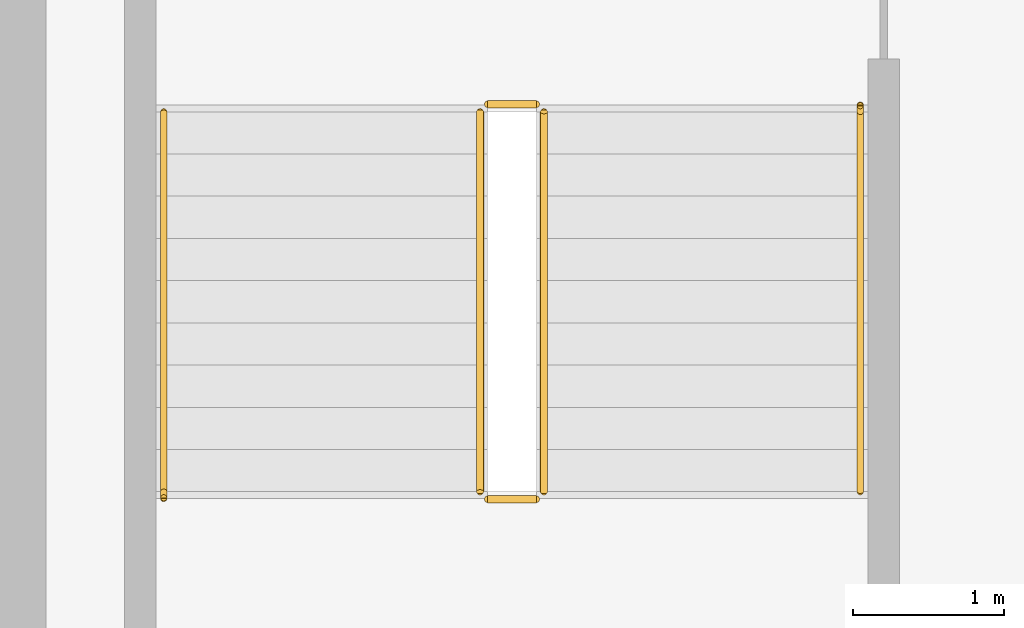
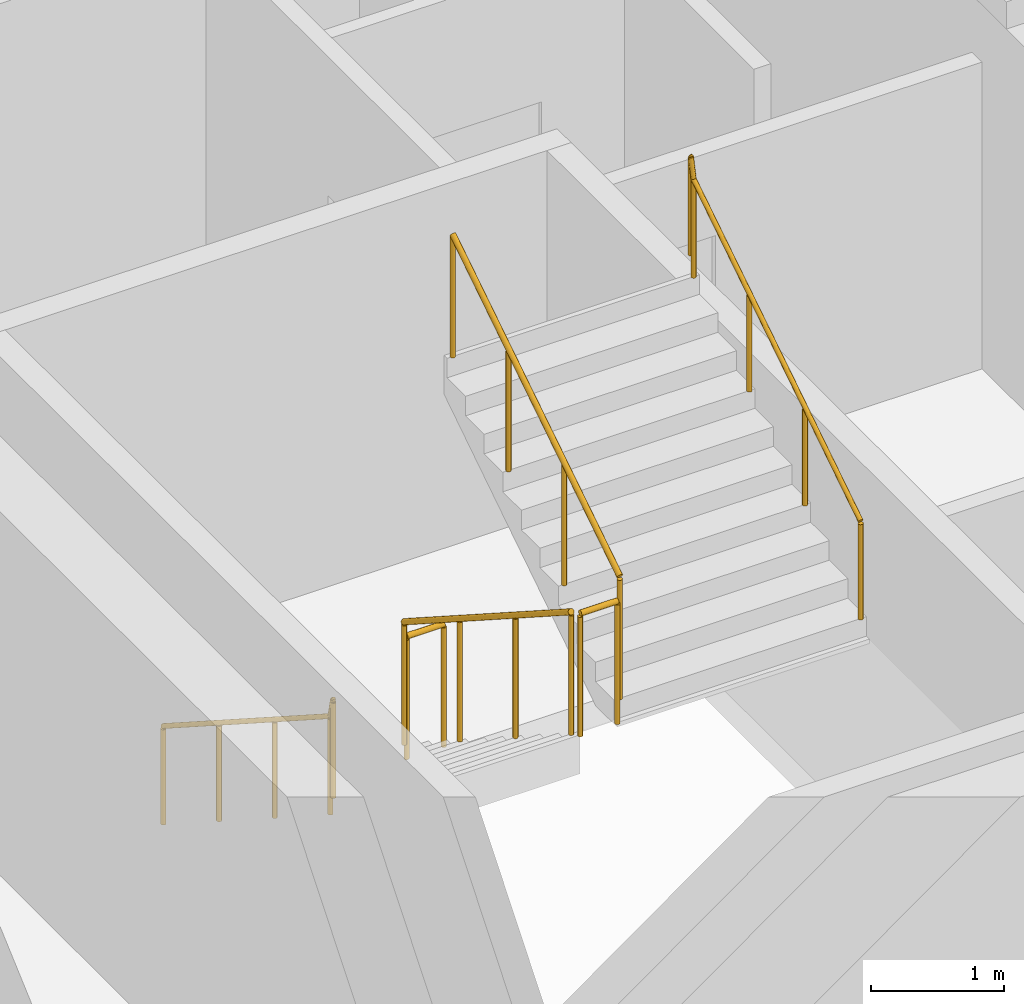
# One storey, part 5 of 8: 6 railings.
"""IFC4 building model written with IfcOpenShell, lengths in metres."""

from ifc_helpers import new_model, si_unit, direction, frame, origin, origin_2d, place, context, subcontext, project, spatial, circle, extrude, material, type_object, element, save


model = new_model("IFC4")

# Units and contexts
model_context = context("Model", 3, precision=1e-05, world=origin(), true_north=direction((0.0, 1.0)))
body_context = subcontext(model_context, "Body", "Model", "MODEL_VIEW")
ifc_project = project(units=[si_unit("LENGTHUNIT", "METRE"), si_unit("AREAUNIT", "SQUARE_METRE"), si_unit("VOLUMEUNIT", "CUBIC_METRE"), si_unit("PLANEANGLEUNIT", "RADIAN"), si_unit("MASSUNIT", "GRAM", prefix="KILO")], contexts=[model_context])

# Site, building, storey
site_placement = place(None, origin())
site = spatial("IfcSite", under=ifc_project, at=site_placement, CompositionType="ELEMENT")
building_placement = place(site_placement, origin())
building = spatial("IfcBuilding", under=site, at=building_placement, Name="Velakula Bourse", CompositionType="ELEMENT")
storey_placement = place(building_placement, frame((0.0, 0.0, 286.949951171875)))
storey = spatial("IfcBuildingStorey", under=building, at=storey_placement, Name="L78", CompositionType="ELEMENT", Elevation=286.949951171875)

# Railings
ifc_material = material(Name="Brushed grade 316 stainless steel", Category="steel")
railing_type_1 = type_object("IfcRailingType", Name="RLG-STAIR-GUARD-1150", PredefinedType="BALUSTRADE", material=ifc_material)
railing_1_placement = place(storey_placement, frame((-15.672119140625, -2.199951171875, 0.179931640625)))
element("IfcRailing", 1, at=railing_1_placement, inside=storey, type_object=railing_type_1, Name="L78 ST-W1 stair guard 1", PredefinedType="BALUSTRADE", context=body_context, shape_type="SweptSolid", body=[
    extrude(circle(Radius=0.02490234375, at=origin_2d()), frame((0.0, 0.0, 1.125), z_axis=(0.0, -0.841162588446, 0.540782303519), x_axis=(1.0, 0.0, 0.0)), (0.0, 0.0, 1.0), 2.995849609375),
    extrude(circle(Radius=0.02099609375, at=origin_2d()), origin(), (0.0, 0.0, 1.0), 1.099853515625),
    extrude(circle(Radius=0.02099609375, at=origin_2d()), frame((0.0, -0.840087890625, 0.5400390625)), (0.0, 0.0, 1.0), 1.099853515625),
    extrude(circle(Radius=0.02099609375, at=origin_2d()), frame((0.0, -1.679931640625, 1.080078125)), (0.0, 0.0, 1.0), 1.099853515625),
    extrude(circle(Radius=0.02099609375, at=origin_2d()), frame((0.0, -2.52001953125, 1.6201171875)), (0.0, 0.0, 1.0), 1.099853515625),
])
railing_2_placement = place(storey_placement, frame((-15.6220703125, -4.77001953125, 1.800048828125)))
element("IfcRailing", 2, at=railing_2_placement, inside=storey, type_object=railing_type_1, Name="L78 ST-W1 stair guard 2", PredefinedType="BALUSTRADE", context=body_context, shape_type="SweptSolid", body=[
    extrude(circle(Radius=0.02490234375, at=origin_2d()), frame((0.0, 0.0, 1.125), z_axis=(1.0, 0.0, 0.0), x_axis=(0.0, 1.0, 0.0)), (0.0, 0.0, 1.0), 0.323974609375),
    extrude(circle(Radius=0.02099609375, at=origin_2d()), origin(), (0.0, 0.0, 1.0), 1.099853515625),
    extrude(circle(Radius=0.02099609375, at=origin_2d()), frame((0.323974609375, 0.0, 0.0)), (0.0, 0.0, 1.0), 1.099853515625),
])
railing_3_placement = place(storey_placement, frame((-15.248046875, -4.719970703125, 1.97998046875)))
element("IfcRailing", 3, at=railing_3_placement, inside=storey, type_object=railing_type_1, Name="L78 ST-W1 stair guard 3", PredefinedType="BALUSTRADE", context=body_context, shape_type="SweptSolid", body=[
    extrude(circle(Radius=0.02490234375, at=origin_2d()), frame((0.0, 0.0, 1.125), z_axis=(0.0, 0.841162588446, 0.540782303519), x_axis=(-1.0, 0.0, 0.0)), (0.0, 0.0, 1.0), 2.995849609375),
    extrude(circle(Radius=0.02099609375, at=origin_2d()), origin(), (0.0, 0.0, 1.0), 1.099853515625),
    extrude(circle(Radius=0.02099609375, at=origin_2d()), frame((0.0, 0.840087890625, 0.5400390625)), (0.0, 0.0, 1.0), 1.099853515625),
    extrude(circle(Radius=0.02099609375, at=origin_2d()), frame((0.0, 1.679931640625, 1.080078125)), (0.0, 0.0, 1.0), 1.099853515625),
    extrude(circle(Radius=0.02099609375, at=origin_2d()), frame((0.0, 2.52001953125, 1.6201171875)), (0.0, 0.0, 1.0), 1.099853515625),
])
railing_4_placement = place(storey_placement, frame((-15.6220703125, -2.14990234375, 0.0)))
element("IfcRailing", 4, at=railing_4_placement, inside=storey, type_object=railing_type_1, Name="L78 ST-W1 stair guard 4", PredefinedType="BALUSTRADE", context=body_context, shape_type="SweptSolid", body=[
    extrude(circle(Radius=0.02490234375, at=origin_2d()), frame((0.0, 0.0, 1.125), z_axis=(1.0, 0.0, 0.0), x_axis=(0.0, 1.0, 0.0)), (0.0, 0.0, 1.0), 0.323974609375),
    extrude(circle(Radius=0.02099609375, at=origin_2d()), origin(), (0.0, 0.0, 1.0), 1.099853515625),
    extrude(circle(Radius=0.02099609375, at=origin_2d()), frame((0.323974609375, 0.0, 0.0)), (0.0, 0.0, 1.0), 1.099853515625),
])
railing_type_2 = type_object("IfcRailingType", Name="RLG-STAIR-HAND-920", PredefinedType="HANDRAIL", material=ifc_material)
railing_5_placement = place(storey_placement, frame((-17.77001953125, -2.199951171875, 0.179931640625)))
element("IfcRailing", 5, at=railing_5_placement, inside=storey, type_object=railing_type_2, Name="L78 ST-W1 stair handrail 1", PredefinedType="HANDRAIL", context=body_context, shape_type="SweptSolid", body=[
    extrude(circle(Radius=0.02099609375, at=origin_2d()), frame((0.0, 0.0, 0.89892578125), z_axis=(0.0, -0.841162588446, 0.540782303519), x_axis=(1.0, 0.0, 0.0)), (0.0, 0.0, 1.0), 2.995849609375),
    extrude(circle(Radius=0.02099609375, at=origin_2d()), frame((0.0, -2.52001953125, 2.51904296875), z_axis=(0.0, -0.217210922078, 0.976124692511), x_axis=(1.0, 0.0, 0.0)), (0.0, 0.0, 1.0), 0.184326171875),
    extrude(circle(Radius=0.02099609375, at=origin_2d()), frame((0.0, -2.56005859375, 2.698974609375), z_axis=(0.0, -1.0, 0.0), x_axis=(1.0, 0.0, 0.0)), (0.0, 0.0, 1.0), 0.0048828125),
    extrude(circle(Radius=0.02099609375, at=origin_2d()), origin(), (0.0, 0.0, 1.0), 0.8779296875),
    extrude(circle(Radius=0.02099609375, at=origin_2d()), frame((0.0, -0.840087890625, 0.5400390625)), (0.0, 0.0, 1.0), 0.8779296875),
    extrude(circle(Radius=0.02099609375, at=origin_2d()), frame((0.0, -1.679931640625, 1.080078125)), (0.0, 0.0, 1.0), 0.8779296875),
    extrude(circle(Radius=0.02099609375, at=origin_2d()), frame((0.0, -2.52001953125, 1.6201171875)), (0.0, 0.0, 1.0), 0.8779296875),
    extrude(circle(Radius=0.02099609375, at=origin_2d()), frame((0.0, -2.56005859375, 1.800048828125)), (0.0, 0.0, 1.0), 0.8779296875),
    extrude(circle(Radius=0.02099609375, at=origin_2d()), frame((0.0, -2.56494140625, 1.800048828125)), (0.0, 0.0, 1.0), 0.8779296875),
])
railing_6_placement = place(storey_placement, frame((-13.14990234375, -4.719970703125, 1.97998046875)))
element("IfcRailing", 6, at=railing_6_placement, inside=storey, type_object=railing_type_2, Name="L78 ST-W1 stair handrail 2", PredefinedType="HANDRAIL", context=body_context, shape_type="SweptSolid", body=[
    extrude(circle(Radius=0.02099609375, at=origin_2d()), frame((0.0, 0.0, 0.89892578125), z_axis=(0.0, 0.841162588446, 0.540782303519), x_axis=(-1.0, 0.0, 0.0)), (0.0, 0.0, 1.0), 2.995849609375),
    extrude(circle(Radius=0.02099609375, at=origin_2d()), frame((0.0, 2.52001953125, 2.51904296875), z_axis=(0.0, 0.217210922078, 0.976124692511), x_axis=(-1.0, 0.0, 0.0)), (0.0, 0.0, 1.0), 0.184326171875),
    extrude(circle(Radius=0.02099609375, at=origin_2d()), frame((0.0, 2.56005859375, 2.698974609375), z_axis=(0.0, 1.0, 0.0), x_axis=(-1.0, 0.0, 0.0)), (0.0, 0.0, 1.0), 0.0048828125),
    extrude(circle(Radius=0.02099609375, at=origin_2d()), origin(), (0.0, 0.0, 1.0), 0.8779296875),
    extrude(circle(Radius=0.02099609375, at=origin_2d()), frame((0.0, 0.840087890625, 0.5400390625)), (0.0, 0.0, 1.0), 0.8779296875),
    extrude(circle(Radius=0.02099609375, at=origin_2d()), frame((0.0, 1.679931640625, 1.080078125)), (0.0, 0.0, 1.0), 0.8779296875),
    extrude(circle(Radius=0.02099609375, at=origin_2d()), frame((0.0, 2.52001953125, 1.6201171875)), (0.0, 0.0, 1.0), 0.8779296875),
    extrude(circle(Radius=0.02099609375, at=origin_2d()), frame((0.0, 2.56005859375, 1.800048828125)), (0.0, 0.0, 1.0), 0.8779296875),
    extrude(circle(Radius=0.02099609375, at=origin_2d()), frame((0.0, 2.56494140625, 1.800048828125)), (0.0, 0.0, 1.0), 0.8779296875),
])

save(model, "model.ifc")
